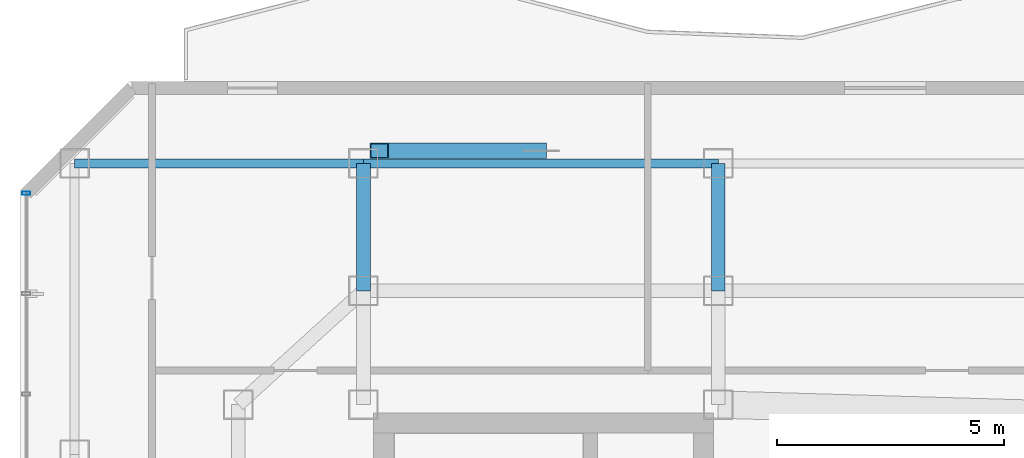
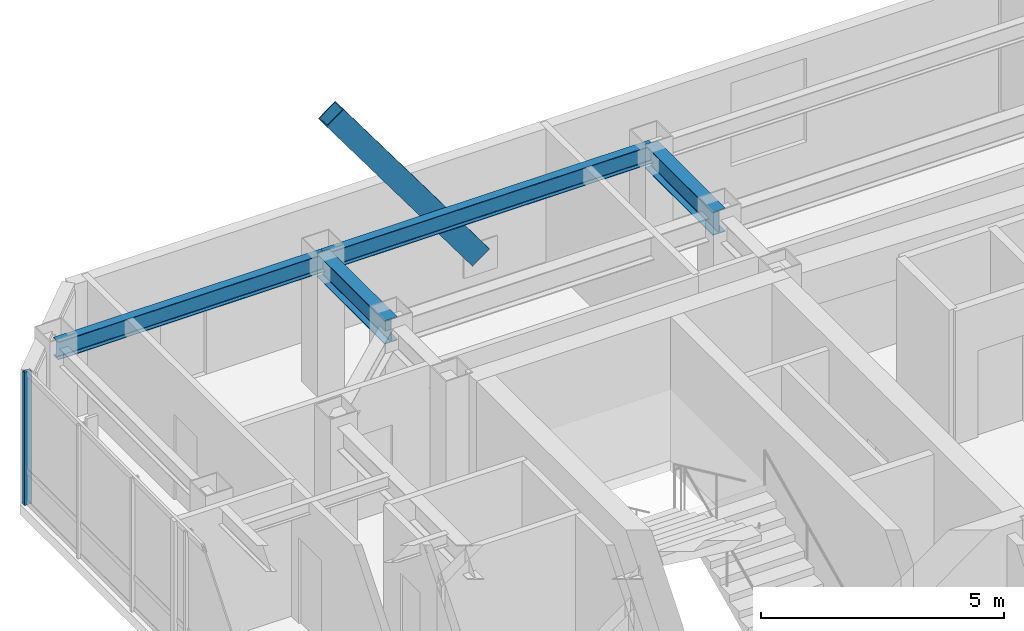
# One storey, part 14 of 22: 4 beams, 2 members, 1 element without a shape of its own.
"""IFC4 building model written with IfcOpenShell, lengths in metres."""

from ifc_helpers import new_model, si_unit, direction, frame, origin, origin_2d, place, context, subcontext, project, spatial, hollow_rectangle, i_section, extrude, material, layer, layer_set, material_profile, profile_set, type_object, element, aggregate, save


model = new_model("IFC4")

# Units and contexts
model_context = context("Model", 3, precision=1e-05, world=origin(), true_north=direction((0.0, 1.0)))
body_context = subcontext(model_context, "Body", "Model", "MODEL_VIEW")
ifc_project = project(units=[si_unit("LENGTHUNIT", "METRE"), si_unit("AREAUNIT", "SQUARE_METRE"), si_unit("VOLUMEUNIT", "CUBIC_METRE"), si_unit("PLANEANGLEUNIT", "RADIAN"), si_unit("MASSUNIT", "GRAM", prefix="KILO")], contexts=[model_context])

# Site, building, storey
site_placement = place(None, origin())
site = spatial("IfcSite", under=ifc_project, at=site_placement, CompositionType="ELEMENT")
building_placement = place(site_placement, origin())
building = spatial("IfcBuilding", under=site, at=building_placement, Name="Hatsunagi Terrace Concourse", CompositionType="ELEMENT")
storey_placement = place(building_placement, frame((0.0, 0.0, 243.14990234375)))
storey = spatial("IfcBuildingStorey", under=building, at=storey_placement, Name="L64", CompositionType="ELEMENT", Elevation=243.14990234375)

# Curtain wall, member
ifc_material_1 = material(Name="Anodised Aluminium Alloy 6063-T5", Category="aluminium")
ifc_layer = layer(ifc_material_1, 0.199951171875)
ifc_layer_set = layer_set([ifc_layer], Name="OfficeZone2_CW04")
curtain_wall_type = type_object("IfcCurtainWallType", Name="OfficeZone2_CW04", PredefinedType="NOTDEFINED", material=ifc_layer_set)
curtain_wall_placement = place(storey_placement, origin())
curtain_wall = element("IfcCurtainWall", 1, at=curtain_wall_placement, inside=storey, type_object=curtain_wall_type, Name="Unitised Curtain Wall CW-04 CW-L64-08", PredefinedType="NOTDEFINED")
ifc_material_2 = material(Name="Anodised Aluminium Alloy 6063-T5", Category="aluminium")
ifc_material_profile_1 = material_profile(ifc_material_2, hollow_rectangle(XDim=0.070068359375, YDim=0.179931640625, WallThickness=0.00390625, at=origin_2d()), Name="ALU-MUL-180x70x4")
ifc_profile_set_1 = profile_set([ifc_material_profile_1], Name="Anodised Aluminium Alloy 6063-T5")
member_type_1 = type_object("IfcMemberType", Name="CurtainWallMullion_180x70", PredefinedType="MULLION", material=ifc_profile_set_1)
member_1_placement = place(storey_placement, frame((18.139892578125, 47.94189453125, 0.0), z_axis=(0.0, 0.0, 1.0), x_axis=(0.0, 1.0, 0.0)))
member_1 = element("IfcMember", 2, at=member_1_placement, type_object=member_type_1, Name="Curtain Wall Mullion MUL-02", PredefinedType="MULLION", context=body_context, shape_type="SweptSolid", body=[
    extrude(hollow_rectangle(XDim=0.070068359375, YDim=0.179931640625, WallThickness=0.00390625, at=origin_2d()), origin(), (0.0, 0.0, 1.0), 3.35009765625),
])
aggregate(curtain_wall, [member_1])

# Beams
ifc_material_3 = material(Name="Steel SN490B", Category="steel")
ifc_material_profile_2 = material_profile(ifc_material_3, i_section(OverallWidth=0.300048828125, OverallDepth=0.587890625, WebThickness=0.011962890625, FlangeThickness=0.02001953125, FilletRadius=0.01806640625, at=origin_2d()), Name="H-588x300x12x20")
ifc_profile_set_2 = profile_set([ifc_material_profile_2], Name="Steel SN490B")
beam_type_1 = type_object("IfcBeamType", Name="OfficeHighGirder_H_588x300", PredefinedType="BEAM", material=ifc_profile_set_2)
for number, where, z_axis, x_axis, name in (
    (3, (25.550048828125, 45.800048828125, 3.05615234375), (0.0, 1.0, 0.0), (-1.0, 0.0, 0.0), "Beam G-06 BM-L64-KN-WN4"),
    (4, (33.35009765625, 45.800048828125, 3.05615234375), (0.0, 1.0, 0.0), (-1.0, 0.0, 0.0), "Beam G-06 BM-L64-KN-WN5"),
):
    element("IfcBeam", number, at=place(storey_placement, frame(where, z_axis=z_axis, x_axis=x_axis)), inside=storey, type_object=beam_type_1, Name=name, PredefinedType="BEAM", context=body_context, shape_type="SweptSolid", body=[
        extrude(i_section(OverallWidth=0.300048828125, OverallDepth=0.587890625, WebThickness=0.011962890625, FlangeThickness=0.02001953125, FilletRadius=0.01806640625, at=origin_2d()), origin(), (0.0, 0.0, 1.0), 2.800048828125),
    ])
ifc_material_4 = material(Name="Steel SN490B", Category="steel")
ifc_material_profile_3 = material_profile(ifc_material_4, i_section(OverallWidth=0.199951171875, OverallDepth=0.449951171875, WebThickness=0.009033203125, FlangeThickness=0.013916015625, FilletRadius=0.01611328125, at=origin_2d()), Name="H-450x200x9x14")
ifc_profile_set_3 = profile_set([ifc_material_profile_3], Name="Steel SN490B")
beam_type_2 = type_object("IfcBeamType", Name="PerimeterSpandrel_H_450x200", PredefinedType="SPANDREL", material=ifc_profile_set_3)
beam_1_placement = place(storey_placement, frame((19.199951171875, 48.60009765625, 3.125), z_axis=(1.0, 0.0, 0.0), x_axis=(0.0, 1.0, 0.0)))
element("IfcBeam", 5, at=beam_1_placement, inside=storey, type_object=beam_type_2, Name="Beam SP-02 BM-L64-WN-19", PredefinedType="SPANDREL", context=body_context, shape_type="SweptSolid", body=[
    extrude(i_section(OverallWidth=0.199951171875, OverallDepth=0.449951171875, WebThickness=0.009033203125, FlangeThickness=0.013916015625, FilletRadius=0.01611328125, at=origin_2d()), origin(), (0.0, 0.0, 1.0), 6.35009765625),
])
beam_2_placement = place(storey_placement, frame((25.550048828125, 48.60009765625, 3.125), z_axis=(1.0, 0.0, 0.0), x_axis=(0.0, 1.0, 0.0)))
element("IfcBeam", 6, at=beam_2_placement, inside=storey, type_object=beam_type_2, Name="Beam SP-02 BM-L64-WN-25", PredefinedType="SPANDREL", context=body_context, shape_type="SweptSolid", body=[
    extrude(i_section(OverallWidth=0.199951171875, OverallDepth=0.449951171875, WebThickness=0.009033203125, FlangeThickness=0.013916015625, FilletRadius=0.01611328125, at=origin_2d()), origin(), (0.0, 0.0, 1.0), 7.800048828125),
])

# Member
ifc_material_5 = material(Name="Steel SN490B", Category="steel")
ifc_material_profile_4 = material_profile(ifc_material_5, hollow_rectangle(XDim=0.35009765625, YDim=0.5, WallThickness=0.02197265625, at=origin_2d()), Name="RHS-500x350x22")
ifc_profile_set_4 = profile_set([ifc_material_profile_4], Name="Steel SN490B")
member_type_2 = type_object("IfcMemberType", Name="PerimeterXBrace_Upper_RHS_500x350x22", PredefinedType="BRACE", material=ifc_profile_set_4)
member_2_placement = place(storey_placement, frame((25.89990234375, 48.8798828125, 6.510009765625), z_axis=(0.591840545345, 0.0, -0.806055065666), x_axis=(0.0, 1.0, 0.0)))
element("IfcMember", 7, at=member_2_placement, inside=storey, type_object=member_type_2, Name="Perimeter X-Brace Split Upper XB-03 XB-L63-SEB1", PredefinedType="BRACE", context=body_context, shape_type="SweptSolid", body=[
    extrude(hollow_rectangle(XDim=0.35009765625, YDim=0.5, WallThickness=0.02197265625, at=origin_2d()), origin(), (0.0, 0.0, 1.0), 5.858154296875),
])

save(model, "model.ifc")
